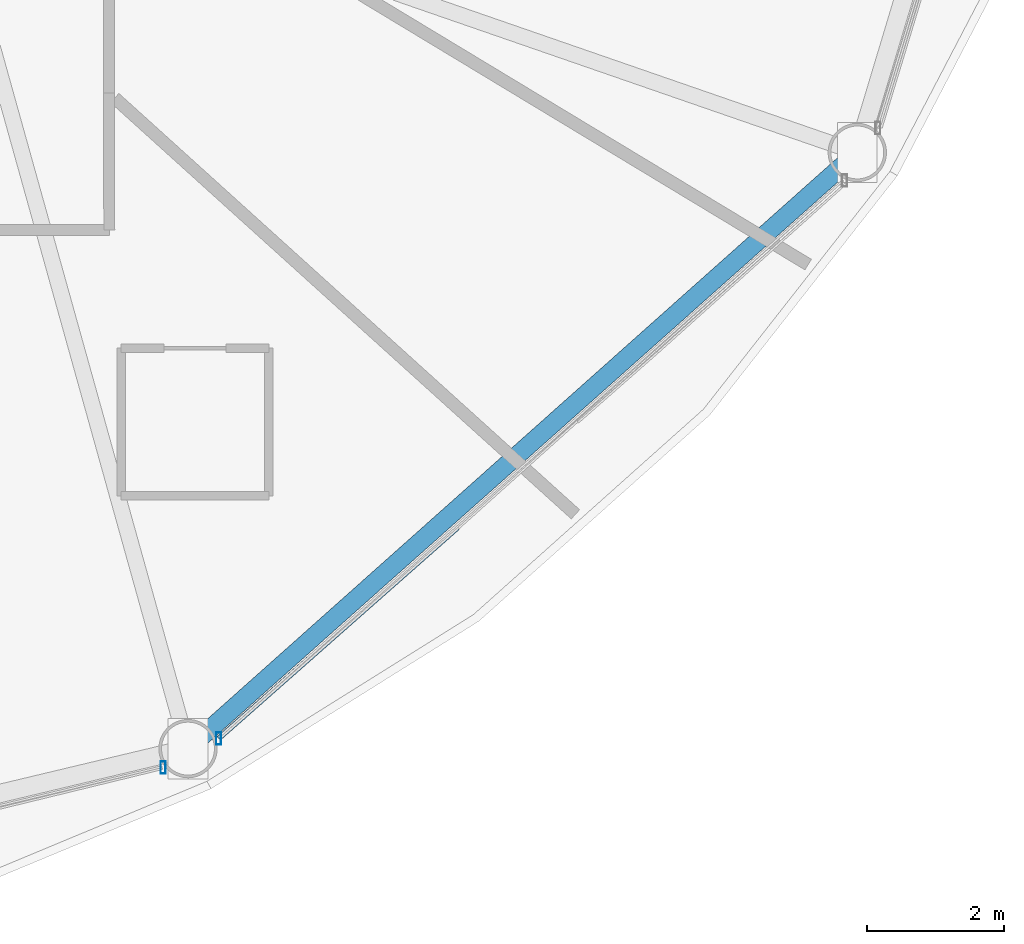
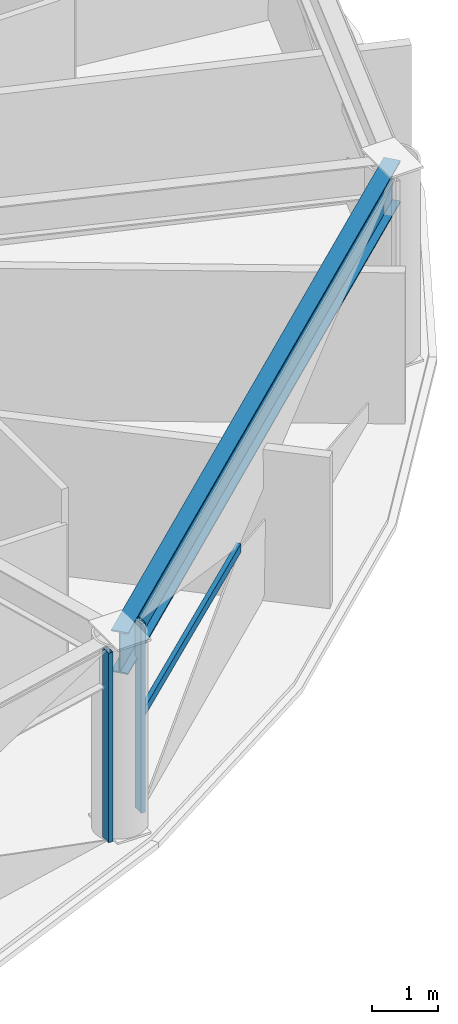
# One storey, part 10 of 32: 3 members, 1 beam, 2 elements without a shape of their own.
"""IFC4 building model written with IfcOpenShell, lengths in metres."""

from ifc_helpers import new_model, si_unit, direction, frame, origin, origin_2d, place, context, subcontext, project, spatial, hollow_rectangle, i_section, extrude, material, layer, layer_set, material_profile, profile_set, type_object, element, aggregate, save


model = new_model("IFC4")

# Units and contexts
model_context = context("Model", 3, precision=1e-05, world=origin(), true_north=direction((0.0, 1.0)))
body_context = subcontext(model_context, "Body", "Model", "MODEL_VIEW")
ifc_project = project(units=[si_unit("LENGTHUNIT", "METRE"), si_unit("AREAUNIT", "SQUARE_METRE"), si_unit("VOLUMEUNIT", "CUBIC_METRE"), si_unit("PLANEANGLEUNIT", "RADIAN"), si_unit("MASSUNIT", "GRAM", prefix="KILO")], contexts=[model_context])

# Site, building, storey
site_placement = place(None, origin())
site = spatial("IfcSite", under=ifc_project, at=site_placement, CompositionType="ELEMENT")
building_placement = place(site_placement, origin())
building = spatial("IfcBuilding", under=site, at=building_placement, Name="Vantalir Tower", CompositionType="ELEMENT")
storey_placement = place(building_placement, frame((0.0, 0.0, 45.75)))
storey = spatial("IfcBuildingStorey", under=building, at=storey_placement, Name="L10", CompositionType="ELEMENT", Elevation=45.75)

# Beam
ifc_material_1 = material(Name="Steel S460", Category="steel")
ifc_material_profile_1 = material_profile(ifc_material_1, i_section(OverallWidth=0.26806640625, OverallDepth=0.77001953125, WebThickness=0.015625, FlangeThickness=0.025390625, at=origin_2d()), Name="Steel S460")
ifc_profile_set_1 = profile_set([ifc_material_profile_1], Name="Steel S460")
beam_type = type_object("IfcBeamType", Name="BM-RG-762x267", PredefinedType="USERDEFINED", material=ifc_profile_set_1)
beam_placement = place(storey_placement, frame((44.820068359375, 4.452880859375, 3.18505859375), z_axis=(0.746746630555, 0.665108615005, 0.0), x_axis=(-0.665108615005, 0.746746630555, 0.0)))
element("IfcBeam", 1, at=beam_placement, inside=storey, type_object=beam_type, Name="L10 Circumferential Ring Girder 11", ObjectType="GIRDER", PredefinedType="USERDEFINED", context=body_context, shape_type="SweptSolid", body=[
    extrude(i_section(OverallWidth=0.26806640625, OverallDepth=0.77001953125, WebThickness=0.015625, FlangeThickness=0.025390625, at=origin_2d()), origin(), (0.0, 0.0, 1.0), 13.056640625),
])

# Curtain wall, member
ifc_material_2 = material(Name="Champagne-silver PVDF aluminium and double-silver Low-E glass", Category="aluminium")
ifc_layer = layer(ifc_material_2, 0.18994140625)
ifc_layer_set = layer_set([ifc_layer], Name="Champagne-silver PVDF aluminium and double-silver Low-E glass")
curtain_wall_type = type_object("IfcCurtainWallType", Name="CW-DIAMOND-Z1", PredefinedType="USERDEFINED", material=ifc_layer_set)
curtain_wall_1_placement = place(storey_placement, origin())
curtain_wall_1 = element("IfcCurtainWall", 2, at=curtain_wall_1_placement, inside=storey, type_object=curtain_wall_type, Name="L10 Quilted Pyramid-Diamond Curtain Wall S10", ObjectType="UNITISED CURTAIN WALL", PredefinedType="USERDEFINED")
ifc_material_3 = material(Name="Champagne-silver PVDF aluminium 6063-T6", Category="aluminium")
ifc_material_profile_2 = material_profile(ifc_material_3, hollow_rectangle(XDim=0.074951171875, YDim=0.179931640625, WallThickness=0.00390625, at=origin_2d()), Name="Champagne-silver PVDF aluminium 6063-T6")
ifc_profile_set_2 = profile_set([ifc_material_profile_2], Name="Champagne-silver PVDF aluminium 6063-T6")
member_type_1 = type_object("IfcMemberType", Name="CWM-180x75", PredefinedType="MULLION", material=ifc_profile_set_2)
member_1_placement = place(storey_placement, frame((44.4580078125, 4.178955078125, 0.044921875), z_axis=(0.0, 0.0, 1.0), x_axis=(1.0, 0.0, 0.0)))
member_1 = element("IfcMember", 3, at=member_1_placement, type_object=member_type_1, Name="CW-L10-S10 Mullion 2", PredefinedType="MULLION", context=body_context, shape_type="SweptSolid", body=[
    extrude(hollow_rectangle(XDim=0.074951171875, YDim=0.179931640625, WallThickness=0.00390625, at=origin_2d()), origin(), (0.0, 0.0, 1.0), 3.47998046875),
])
aggregate(curtain_wall_1, [member_1])

# Curtain wall, members
curtain_wall_2_placement = place(storey_placement, origin())
curtain_wall_2 = element("IfcCurtainWall", 4, at=curtain_wall_2_placement, inside=storey, type_object=curtain_wall_type, Name="L10 Quilted Pyramid-Diamond Curtain Wall S11", ObjectType="UNITISED CURTAIN WALL", PredefinedType="USERDEFINED")
member_2_placement = place(storey_placement, frame((45.26611328125, 4.60107421875, 0.044921875), z_axis=(0.0, 0.0, 1.0), x_axis=(1.0, 0.0, 0.0)))
member_2 = element("IfcMember", 5, at=member_2_placement, type_object=member_type_1, Name="CW-L10-S11 Mullion 1", PredefinedType="MULLION", context=body_context, shape_type="SweptSolid", body=[
    extrude(hollow_rectangle(XDim=0.074951171875, YDim=0.179931640625, WallThickness=0.00390625, at=origin_2d()), origin(), (0.0, 0.0, 1.0), 3.47998046875),
])
ifc_material_profile_3 = material_profile(ifc_material_3, hollow_rectangle(XDim=0.074951171875, YDim=0.159912109375, WallThickness=0.00390625, at=origin_2d()), Name="Champagne-silver PVDF aluminium 6063-T6")
ifc_profile_set_3 = profile_set([ifc_material_profile_3], Name="Champagne-silver PVDF aluminium 6063-T6")
member_type_2 = type_object("IfcMemberType", Name="CWT-160x75", PredefinedType="USERDEFINED", material=ifc_profile_set_3)
member_3_placement = place(storey_placement, frame((45.26611328125, 4.60107421875, 1.784912109375), z_axis=(0.749867007792, 0.661588596203, 0.0), x_axis=(-0.661588596203, 0.749867007792, 0.0)))
member_3 = element("IfcMember", 6, at=member_3_placement, type_object=member_type_2, Name="CW-L10-S11 Pyramid Fold Ridge Transom", ObjectType="TRANSOM", PredefinedType="USERDEFINED", context=body_context, shape_type="SweptSolid", body=[
    extrude(hollow_rectangle(XDim=0.074951171875, YDim=0.159912109375, WallThickness=0.00390625, at=origin_2d()), origin(), (0.0, 0.0, 1.0), 4.643310546875),
])
aggregate(curtain_wall_2, [member_2, member_3])

save(model, "model.ifc")
